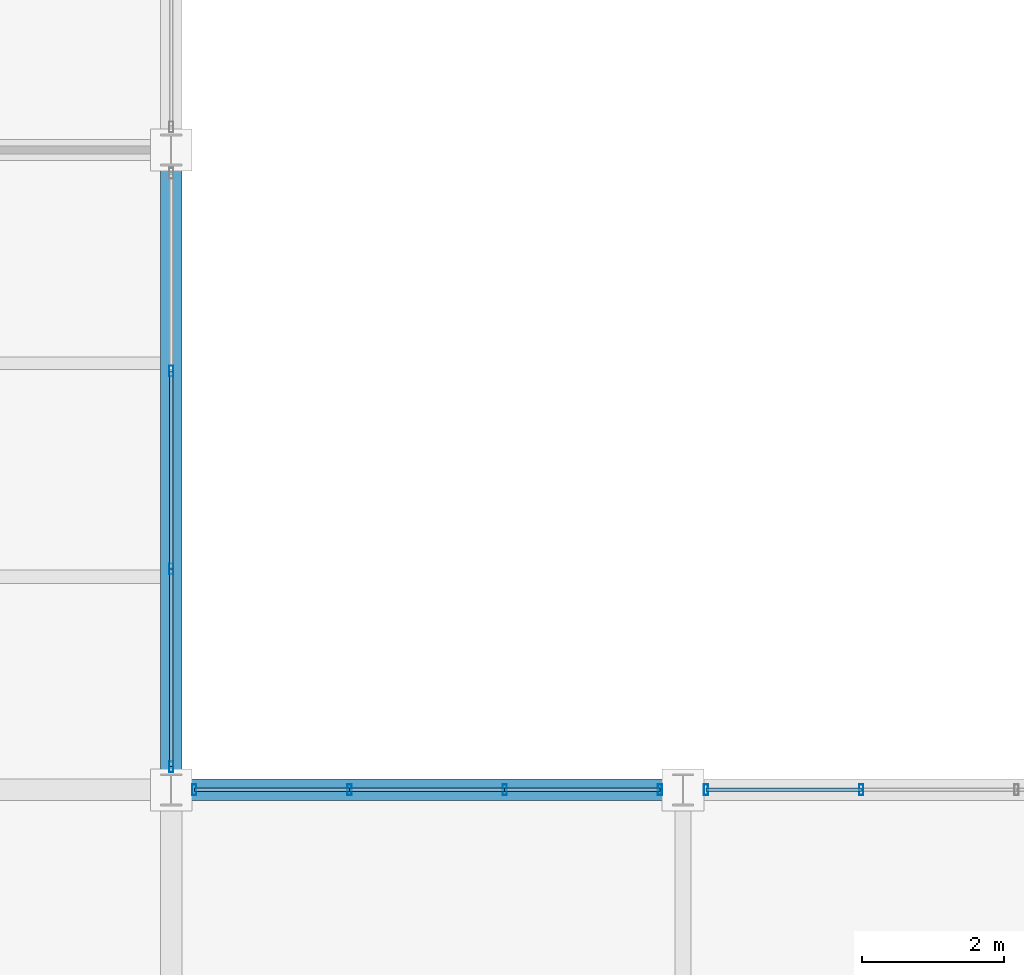
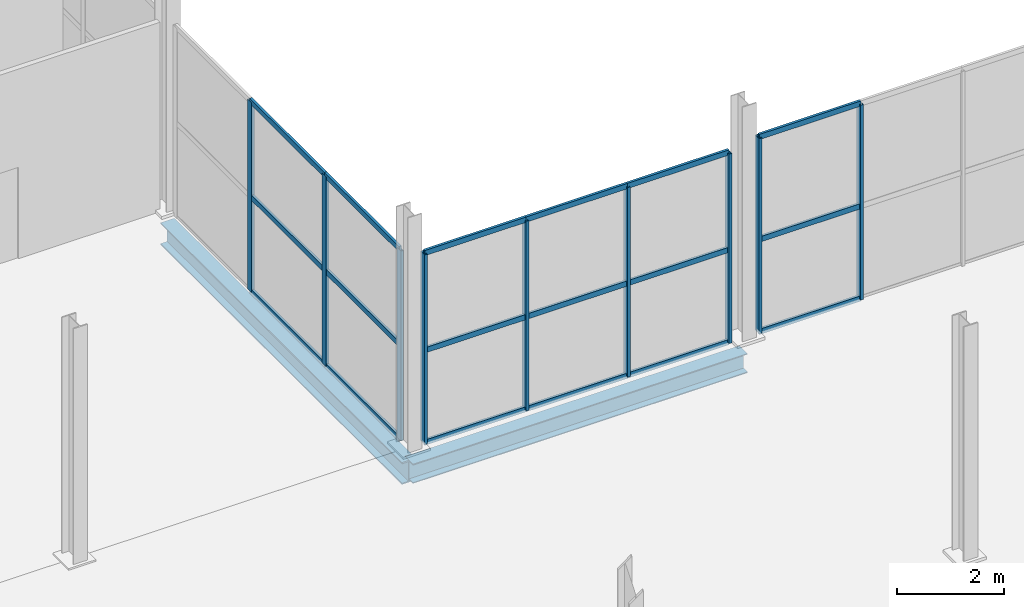
# One storey, part 89 of 147: 27 members, 2 beams, 3 elements without a shape of their own.
"""IFC4 building model written with IfcOpenShell, lengths in metres."""

from ifc_helpers import new_model, si_unit, direction, frame, origin, origin_2d, place, context, subcontext, project, spatial, hollow_rectangle, i_section, extrude, material, layer, layer_set, material_profile, profile_set, type_object, element, aggregate, save


model = new_model("IFC4")

# Units and contexts
model_context = context("Model", 3, precision=1e-05, world=origin(), true_north=direction((0.0, 1.0)))
body_context = subcontext(model_context, "Body", "Model", "MODEL_VIEW")
ifc_project = project(units=[si_unit("LENGTHUNIT", "METRE"), si_unit("AREAUNIT", "SQUARE_METRE"), si_unit("VOLUMEUNIT", "CUBIC_METRE"), si_unit("PLANEANGLEUNIT", "RADIAN"), si_unit("MASSUNIT", "GRAM", prefix="KILO")], contexts=[model_context])

# Site, building, storey
site_placement = place(None, origin())
site = spatial("IfcSite", under=ifc_project, at=site_placement, CompositionType="ELEMENT")
building_placement = place(site_placement, origin())
building = spatial("IfcBuilding", under=site, at=building_placement, Name="Sundgate Opera House", CompositionType="ELEMENT")
storey_placement = place(building_placement, frame((0.0, 0.0, 6.0)))
storey = spatial("IfcBuildingStorey", under=building, at=storey_placement, Name="L01", CompositionType="ELEMENT", Elevation=6.0)

# Beams
ifc_material_1 = material(Name="Steel S355J2", Category="steel")
ifc_material_profile_1 = material_profile(ifc_material_1, i_section(OverallWidth=0.300048828125, OverallDepth=0.43994140625, WebThickness=0.011474609375, FlangeThickness=0.02099609375, at=origin_2d()), Name="HEA 450")
ifc_profile_set_1 = profile_set([ifc_material_profile_1], Name="Steel S355J2")
beam_type_1 = type_object("IfcBeamType", Name="BM-GR-HEA450", PredefinedType="BEAM", material=ifc_profile_set_1)
beam_1_placement = place(storey_placement, frame((145.800048828125, 33.0, -0.52001953125), z_axis=(1.0, 0.0, 0.0), x_axis=(0.0, 1.0, 0.0)))
element("IfcBeam", 1, at=beam_1_placement, inside=storey, type_object=beam_type_1, Name="L01 Primary E-W Girder B1324", PredefinedType="BEAM", context=body_context, shape_type="SweptSolid", body=[
    extrude(i_section(OverallWidth=0.300048828125, OverallDepth=0.43994140625, WebThickness=0.011474609375, FlangeThickness=0.02099609375, at=origin_2d()), origin(), (0.0, 0.0, 1.0), 7.199951171875),
])
ifc_material_2 = material(Name="Steel S355J2", Category="steel")
ifc_material_profile_2 = material_profile(ifc_material_2, i_section(OverallWidth=0.300048828125, OverallDepth=0.5, WebThickness=0.014404296875, FlangeThickness=0.028076171875, at=origin_2d()), Name="HEB 500")
ifc_profile_set_2 = profile_set([ifc_material_profile_2], Name="Steel S355J2")
beam_type_2 = type_object("IfcBeamType", Name="BM-GR-HEB500", PredefinedType="BEAM", material=ifc_profile_set_2)
beam_2_placement = place(storey_placement, frame((145.800048828125, 33.0, -0.550048828125), z_axis=(0.0, 1.0, 0.0), x_axis=(-1.0, 0.0, 0.0)))
element("IfcBeam", 2, at=beam_2_placement, inside=storey, type_object=beam_type_2, Name="L01 Primary N-S Girder B1230", PredefinedType="BEAM", context=body_context, shape_type="SweptSolid", body=[
    extrude(i_section(OverallWidth=0.300048828125, OverallDepth=0.5, WebThickness=0.014404296875, FlangeThickness=0.028076171875, at=origin_2d()), origin(), (0.0, 0.0, 1.0), 9.0),
])

# Curtain wall, members
ifc_material_3 = material(Name="Anodized aluminium and low-iron glass", Category="aluminium")
ifc_layer_1 = layer(ifc_material_3, 0.159912109375)
ifc_layer_set_1 = layer_set([ifc_layer_1], Name="Anodized aluminium and low-iron glass")
curtain_wall_type_1 = type_object("IfcCurtainWallType", Name="CW-STUDIO-DARK", PredefinedType="NOTDEFINED", material=ifc_layer_set_1)
curtain_wall_1_placement = place(storey_placement, origin())
curtain_wall_1 = element("IfcCurtainWall", 3, at=curtain_wall_1_placement, inside=storey, type_object=curtain_wall_type_1, Name="L01 Curtain Wall CW045", PredefinedType="NOTDEFINED")
ifc_material_4 = material(Name="Anodized aluminium EN AW-6063", Category="aluminium")
ifc_material_profile_3 = material_profile(ifc_material_4, hollow_rectangle(XDim=0.06005859375, YDim=0.14990234375, WallThickness=0.00390625, at=origin_2d()), Name="CWM 150x60x4")
ifc_profile_set_3 = profile_set([ifc_material_profile_3], Name="Anodized aluminium EN AW-6063")
member_type_1 = type_object("IfcMemberType", Name="CWM-ALU-150x60", PredefinedType="MULLION", material=ifc_profile_set_3)
member_1_placement = place(storey_placement, frame((145.800048828125, 33.324951171875, 0.0), z_axis=(0.0, 0.0, 1.0), x_axis=(1.0, 0.0, 0.0)))
member_1 = element("IfcMember", 4, at=member_1_placement, type_object=member_type_1, Name="CW045 Mullion 1", PredefinedType="MULLION", context=body_context, shape_type="SweptSolid", body=[
    extrude(hollow_rectangle(XDim=0.06005859375, YDim=0.14990234375, WallThickness=0.00390625, at=origin_2d()), origin(), (0.0, 0.0, 1.0), 4.31494140625),
])
member_2_placement = place(storey_placement, frame((145.800048828125, 36.1083984375, 0.0), z_axis=(0.0, 0.0, 1.0), x_axis=(1.0, 0.0, 0.0)))
member_2 = element("IfcMember", 5, at=member_2_placement, type_object=member_type_1, Name="CW045 Mullion 2", PredefinedType="MULLION", context=body_context, shape_type="SweptSolid", body=[
    extrude(hollow_rectangle(XDim=0.06005859375, YDim=0.14990234375, WallThickness=0.00390625, at=origin_2d()), origin(), (0.0, 0.0, 1.0), 4.31494140625),
])
member_3_placement = place(storey_placement, frame((145.800048828125, 38.8916015625, 0.0), z_axis=(0.0, 0.0, 1.0), x_axis=(1.0, 0.0, 0.0)))
member_3 = element("IfcMember", 6, at=member_3_placement, type_object=member_type_1, Name="CW045 Mullion 3", PredefinedType="MULLION", context=body_context, shape_type="SweptSolid", body=[
    extrude(hollow_rectangle(XDim=0.06005859375, YDim=0.14990234375, WallThickness=0.00390625, at=origin_2d()), origin(), (0.0, 0.0, 1.0), 4.31494140625),
])

ifc_material_5 = material(Name="Anodized aluminium and low-iron glass", Category="aluminium")
ifc_layer_2 = layer(ifc_material_5, 0.14990234375)
ifc_layer_set_2 = layer_set([ifc_layer_2], Name="Anodized aluminium and low-iron glass")
curtain_wall_type_2 = type_object("IfcCurtainWallType", Name="CW-WORKSHOP-DARK", PredefinedType="NOTDEFINED", material=ifc_layer_set_2)
curtain_wall_2_placement = place(storey_placement, origin())
curtain_wall_2 = element("IfcCurtainWall", 7, at=curtain_wall_2_placement, inside=storey, type_object=curtain_wall_type_2, Name="L01 Curtain Wall CW152", PredefinedType="NOTDEFINED")
member_4_placement = place(storey_placement, frame((146.125, 33.0, 0.0), z_axis=(0.0, 0.0, 1.0), x_axis=(1.0, 0.0, 0.0)))
member_4 = element("IfcMember", 8, at=member_4_placement, type_object=member_type_1, Name="CW152 Mullion 1", PredefinedType="MULLION", context=body_context, shape_type="SweptSolid", body=[
    extrude(hollow_rectangle(XDim=0.06005859375, YDim=0.14990234375, WallThickness=0.00390625, at=origin_2d()), origin(), (0.0, 0.0, 1.0), 4.31494140625),
])
member_5_placement = place(storey_placement, frame((148.308349609375, 33.0, 0.0), z_axis=(0.0, 0.0, 1.0), x_axis=(1.0, 0.0, 0.0)))
member_5 = element("IfcMember", 9, at=member_5_placement, type_object=member_type_1, Name="CW152 Mullion 2", PredefinedType="MULLION", context=body_context, shape_type="SweptSolid", body=[
    extrude(hollow_rectangle(XDim=0.06005859375, YDim=0.14990234375, WallThickness=0.00390625, at=origin_2d()), origin(), (0.0, 0.0, 1.0), 4.31494140625),
])
member_6_placement = place(storey_placement, frame((150.49169921875, 33.0, 0.0), z_axis=(0.0, 0.0, 1.0), x_axis=(1.0, 0.0, 0.0)))
member_6 = element("IfcMember", 10, at=member_6_placement, type_object=member_type_1, Name="CW152 Mullion 3", PredefinedType="MULLION", context=body_context, shape_type="SweptSolid", body=[
    extrude(hollow_rectangle(XDim=0.06005859375, YDim=0.14990234375, WallThickness=0.00390625, at=origin_2d()), origin(), (0.0, 0.0, 1.0), 4.31494140625),
])
member_7_placement = place(storey_placement, frame((152.675048828125, 33.0, 0.0), z_axis=(0.0, 0.0, 1.0), x_axis=(1.0, 0.0, 0.0)))
member_7 = element("IfcMember", 11, at=member_7_placement, type_object=member_type_1, Name="CW152 Mullion 4", PredefinedType="MULLION", context=body_context, shape_type="SweptSolid", body=[
    extrude(hollow_rectangle(XDim=0.06005859375, YDim=0.14990234375, WallThickness=0.00390625, at=origin_2d()), origin(), (0.0, 0.0, 1.0), 4.31494140625),
])

curtain_wall_3_placement = place(storey_placement, origin())
curtain_wall_3 = element("IfcCurtainWall", 12, at=curtain_wall_3_placement, inside=storey, type_object=curtain_wall_type_2, Name="L01 Curtain Wall CW153", PredefinedType="NOTDEFINED")
member_8_placement = place(storey_placement, frame((153.324951171875, 33.0, 0.0), z_axis=(0.0, 0.0, 1.0), x_axis=(1.0, 0.0, 0.0)))
member_8 = element("IfcMember", 13, at=member_8_placement, type_object=member_type_1, Name="CW153 Mullion 1", PredefinedType="MULLION", context=body_context, shape_type="SweptSolid", body=[
    extrude(hollow_rectangle(XDim=0.06005859375, YDim=0.14990234375, WallThickness=0.00390625, at=origin_2d()), origin(), (0.0, 0.0, 1.0), 4.43505859375),
])
member_9_placement = place(storey_placement, frame((155.50830078125, 33.0, 0.0), z_axis=(0.0, 0.0, 1.0), x_axis=(1.0, 0.0, 0.0)))
member_9 = element("IfcMember", 14, at=member_9_placement, type_object=member_type_1, Name="CW153 Mullion 2", PredefinedType="MULLION", context=body_context, shape_type="SweptSolid", body=[
    extrude(hollow_rectangle(XDim=0.06005859375, YDim=0.14990234375, WallThickness=0.00390625, at=origin_2d()), origin(), (0.0, 0.0, 1.0), 4.43505859375),
])

# Member
ifc_material_6 = material(Name="Anodized aluminium EN AW-6063", Category="aluminium")
ifc_material_profile_4 = material_profile(ifc_material_6, hollow_rectangle(XDim=0.054931640625, YDim=0.1201171875, WallThickness=0.00390625, at=origin_2d()), Name="CWT 120x55x4")
ifc_profile_set_4 = profile_set([ifc_material_profile_4], Name="Anodized aluminium EN AW-6063")
member_type_2 = type_object("IfcMemberType", Name="CWT-ALU-120x55", PredefinedType="USERDEFINED", material=ifc_profile_set_4)
member_10_placement = place(storey_placement, frame((145.800048828125, 33.324951171875, 0.0), z_axis=(0.0, 1.0, 0.0), x_axis=(-1.0, 0.0, 0.0)))
member_10 = element("IfcMember", 15, at=member_10_placement, type_object=member_type_2, Name="CW045 Transom 1", ObjectType="TRANSOM", PredefinedType="USERDEFINED", context=body_context, shape_type="SweptSolid", body=[
    extrude(hollow_rectangle(XDim=0.054931640625, YDim=0.1201171875, WallThickness=0.00390625, at=origin_2d()), origin(), (0.0, 0.0, 1.0), 2.783447265625),
])

member_11_placement = place(storey_placement, frame((145.800048828125, 33.324951171875, 2.14990234375), z_axis=(0.0, 1.0, 0.0), x_axis=(-1.0, 0.0, 0.0)))
member_11 = element("IfcMember", 16, at=member_11_placement, type_object=member_type_2, Name="CW045 Transom 2", ObjectType="TRANSOM", PredefinedType="USERDEFINED", context=body_context, shape_type="SweptSolid", body=[
    extrude(hollow_rectangle(XDim=0.054931640625, YDim=0.1201171875, WallThickness=0.00390625, at=origin_2d()), origin(), (0.0, 0.0, 1.0), 2.783447265625),
])

member_12_placement = place(storey_placement, frame((145.800048828125, 33.324951171875, 4.31494140625), z_axis=(0.0, 1.0, 0.0), x_axis=(-1.0, 0.0, 0.0)))
member_12 = element("IfcMember", 17, at=member_12_placement, type_object=member_type_2, Name="CW045 Transom 3", ObjectType="TRANSOM", PredefinedType="USERDEFINED", context=body_context, shape_type="SweptSolid", body=[
    extrude(hollow_rectangle(XDim=0.054931640625, YDim=0.1201171875, WallThickness=0.00390625, at=origin_2d()), origin(), (0.0, 0.0, 1.0), 2.783447265625),
])

member_13_placement = place(storey_placement, frame((145.800048828125, 36.1083984375, 0.0), z_axis=(0.0, 1.0, 0.0), x_axis=(-1.0, 0.0, 0.0)))
member_13 = element("IfcMember", 18, at=member_13_placement, type_object=member_type_2, Name="CW045 Transom 4", ObjectType="TRANSOM", PredefinedType="USERDEFINED", context=body_context, shape_type="SweptSolid", body=[
    extrude(hollow_rectangle(XDim=0.054931640625, YDim=0.1201171875, WallThickness=0.00390625, at=origin_2d()), origin(), (0.0, 0.0, 1.0), 2.783203125),
])

member_14_placement = place(storey_placement, frame((145.800048828125, 36.1083984375, 2.14990234375), z_axis=(0.0, 1.0, 0.0), x_axis=(-1.0, 0.0, 0.0)))
member_14 = element("IfcMember", 19, at=member_14_placement, type_object=member_type_2, Name="CW045 Transom 5", ObjectType="TRANSOM", PredefinedType="USERDEFINED", context=body_context, shape_type="SweptSolid", body=[
    extrude(hollow_rectangle(XDim=0.054931640625, YDim=0.1201171875, WallThickness=0.00390625, at=origin_2d()), origin(), (0.0, 0.0, 1.0), 2.783203125),
])

member_15_placement = place(storey_placement, frame((145.800048828125, 36.1083984375, 4.31494140625), z_axis=(0.0, 1.0, 0.0), x_axis=(-1.0, 0.0, 0.0)))
member_15 = element("IfcMember", 20, at=member_15_placement, type_object=member_type_2, Name="CW045 Transom 6", ObjectType="TRANSOM", PredefinedType="USERDEFINED", context=body_context, shape_type="SweptSolid", body=[
    extrude(hollow_rectangle(XDim=0.054931640625, YDim=0.1201171875, WallThickness=0.00390625, at=origin_2d()), origin(), (0.0, 0.0, 1.0), 2.783203125),
])

aggregate(curtain_wall_1, [member_1, member_2, member_3, member_10, member_11, member_12, member_13, member_14, member_15])

member_16_placement = place(storey_placement, frame((146.125, 33.0, 0.0), z_axis=(1.0, 0.0, 0.0), x_axis=(0.0, 1.0, 0.0)))
member_16 = element("IfcMember", 21, at=member_16_placement, type_object=member_type_2, Name="CW152 Transom 1", ObjectType="TRANSOM", PredefinedType="USERDEFINED", context=body_context, shape_type="SweptSolid", body=[
    extrude(hollow_rectangle(XDim=0.054931640625, YDim=0.1201171875, WallThickness=0.00390625, at=origin_2d()), origin(), (0.0, 0.0, 1.0), 2.183349609375),
])

member_17_placement = place(storey_placement, frame((146.125, 33.0, 2.10009765625), z_axis=(1.0, 0.0, 0.0), x_axis=(0.0, 1.0, 0.0)))
member_17 = element("IfcMember", 22, at=member_17_placement, type_object=member_type_2, Name="CW152 Transom 2", ObjectType="TRANSOM", PredefinedType="USERDEFINED", context=body_context, shape_type="SweptSolid", body=[
    extrude(hollow_rectangle(XDim=0.054931640625, YDim=0.1201171875, WallThickness=0.00390625, at=origin_2d()), origin(), (0.0, 0.0, 1.0), 2.183349609375),
])

member_18_placement = place(storey_placement, frame((146.125, 33.0, 4.31494140625), z_axis=(1.0, 0.0, 0.0), x_axis=(0.0, 1.0, 0.0)))
member_18 = element("IfcMember", 23, at=member_18_placement, type_object=member_type_2, Name="CW152 Transom 3", ObjectType="TRANSOM", PredefinedType="USERDEFINED", context=body_context, shape_type="SweptSolid", body=[
    extrude(hollow_rectangle(XDim=0.054931640625, YDim=0.1201171875, WallThickness=0.00390625, at=origin_2d()), origin(), (0.0, 0.0, 1.0), 2.183349609375),
])

member_19_placement = place(storey_placement, frame((148.308349609375, 33.0, 0.0), z_axis=(1.0, 0.0, 0.0), x_axis=(0.0, 1.0, 0.0)))
member_19 = element("IfcMember", 24, at=member_19_placement, type_object=member_type_2, Name="CW152 Transom 4", ObjectType="TRANSOM", PredefinedType="USERDEFINED", context=body_context, shape_type="SweptSolid", body=[
    extrude(hollow_rectangle(XDim=0.054931640625, YDim=0.1201171875, WallThickness=0.00390625, at=origin_2d()), origin(), (0.0, 0.0, 1.0), 2.183349609375),
])

member_20_placement = place(storey_placement, frame((148.308349609375, 33.0, 2.10009765625), z_axis=(1.0, 0.0, 0.0), x_axis=(0.0, 1.0, 0.0)))
member_20 = element("IfcMember", 25, at=member_20_placement, type_object=member_type_2, Name="CW152 Transom 5", ObjectType="TRANSOM", PredefinedType="USERDEFINED", context=body_context, shape_type="SweptSolid", body=[
    extrude(hollow_rectangle(XDim=0.054931640625, YDim=0.1201171875, WallThickness=0.00390625, at=origin_2d()), origin(), (0.0, 0.0, 1.0), 2.183349609375),
])

member_21_placement = place(storey_placement, frame((148.308349609375, 33.0, 4.31494140625), z_axis=(1.0, 0.0, 0.0), x_axis=(0.0, 1.0, 0.0)))
member_21 = element("IfcMember", 26, at=member_21_placement, type_object=member_type_2, Name="CW152 Transom 6", ObjectType="TRANSOM", PredefinedType="USERDEFINED", context=body_context, shape_type="SweptSolid", body=[
    extrude(hollow_rectangle(XDim=0.054931640625, YDim=0.1201171875, WallThickness=0.00390625, at=origin_2d()), origin(), (0.0, 0.0, 1.0), 2.183349609375),
])

member_22_placement = place(storey_placement, frame((150.49169921875, 33.0, 0.0), z_axis=(1.0, 0.0, 0.0), x_axis=(0.0, 1.0, 0.0)))
member_22 = element("IfcMember", 27, at=member_22_placement, type_object=member_type_2, Name="CW152 Transom 7", ObjectType="TRANSOM", PredefinedType="USERDEFINED", context=body_context, shape_type="SweptSolid", body=[
    extrude(hollow_rectangle(XDim=0.054931640625, YDim=0.1201171875, WallThickness=0.00390625, at=origin_2d()), origin(), (0.0, 0.0, 1.0), 2.183349609375),
])

member_23_placement = place(storey_placement, frame((150.49169921875, 33.0, 2.10009765625), z_axis=(1.0, 0.0, 0.0), x_axis=(0.0, 1.0, 0.0)))
member_23 = element("IfcMember", 28, at=member_23_placement, type_object=member_type_2, Name="CW152 Transom 8", ObjectType="TRANSOM", PredefinedType="USERDEFINED", context=body_context, shape_type="SweptSolid", body=[
    extrude(hollow_rectangle(XDim=0.054931640625, YDim=0.1201171875, WallThickness=0.00390625, at=origin_2d()), origin(), (0.0, 0.0, 1.0), 2.183349609375),
])

member_24_placement = place(storey_placement, frame((150.49169921875, 33.0, 4.31494140625), z_axis=(1.0, 0.0, 0.0), x_axis=(0.0, 1.0, 0.0)))
member_24 = element("IfcMember", 29, at=member_24_placement, type_object=member_type_2, Name="CW152 Transom 9", ObjectType="TRANSOM", PredefinedType="USERDEFINED", context=body_context, shape_type="SweptSolid", body=[
    extrude(hollow_rectangle(XDim=0.054931640625, YDim=0.1201171875, WallThickness=0.00390625, at=origin_2d()), origin(), (0.0, 0.0, 1.0), 2.183349609375),
])

aggregate(curtain_wall_2, [member_4, member_5, member_6, member_7, member_16, member_17, member_18, member_19, member_20, member_21, member_22, member_23, member_24])

member_25_placement = place(storey_placement, frame((153.324951171875, 33.0, 0.0), z_axis=(1.0, 0.0, 0.0), x_axis=(0.0, 1.0, 0.0)))
member_25 = element("IfcMember", 30, at=member_25_placement, type_object=member_type_2, Name="CW153 Transom 1", ObjectType="TRANSOM", PredefinedType="USERDEFINED", context=body_context, shape_type="SweptSolid", body=[
    extrude(hollow_rectangle(XDim=0.054931640625, YDim=0.1201171875, WallThickness=0.00390625, at=origin_2d()), origin(), (0.0, 0.0, 1.0), 2.183349609375),
])

member_26_placement = place(storey_placement, frame((153.324951171875, 33.0, 2.10009765625), z_axis=(1.0, 0.0, 0.0), x_axis=(0.0, 1.0, 0.0)))
member_26 = element("IfcMember", 31, at=member_26_placement, type_object=member_type_2, Name="CW153 Transom 2", ObjectType="TRANSOM", PredefinedType="USERDEFINED", context=body_context, shape_type="SweptSolid", body=[
    extrude(hollow_rectangle(XDim=0.054931640625, YDim=0.1201171875, WallThickness=0.00390625, at=origin_2d()), origin(), (0.0, 0.0, 1.0), 2.183349609375),
])

member_27_placement = place(storey_placement, frame((153.324951171875, 33.0, 4.43505859375), z_axis=(1.0, 0.0, 0.0), x_axis=(0.0, 1.0, 0.0)))
member_27 = element("IfcMember", 32, at=member_27_placement, type_object=member_type_2, Name="CW153 Transom 3", ObjectType="TRANSOM", PredefinedType="USERDEFINED", context=body_context, shape_type="SweptSolid", body=[
    extrude(hollow_rectangle(XDim=0.054931640625, YDim=0.1201171875, WallThickness=0.00390625, at=origin_2d()), origin(), (0.0, 0.0, 1.0), 2.183349609375),
])

aggregate(curtain_wall_3, [member_8, member_9, member_25, member_26, member_27])

save(model, "model.ifc")
